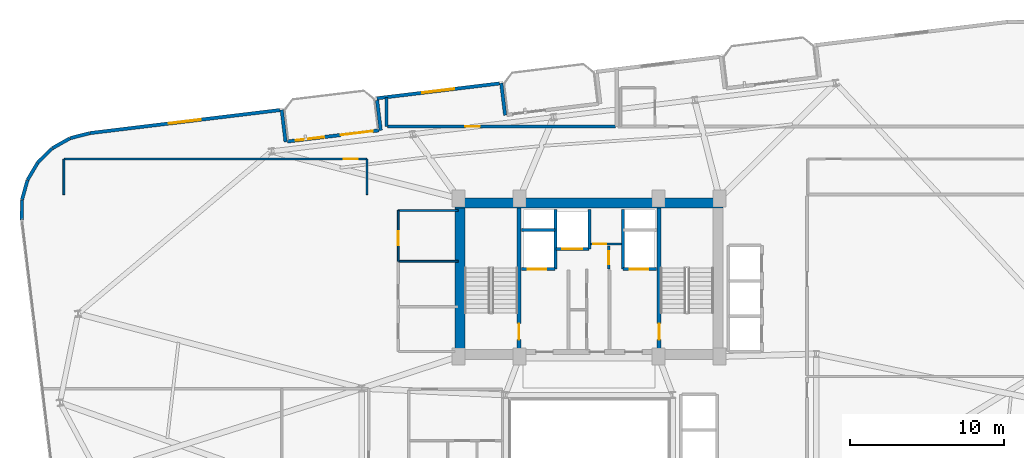
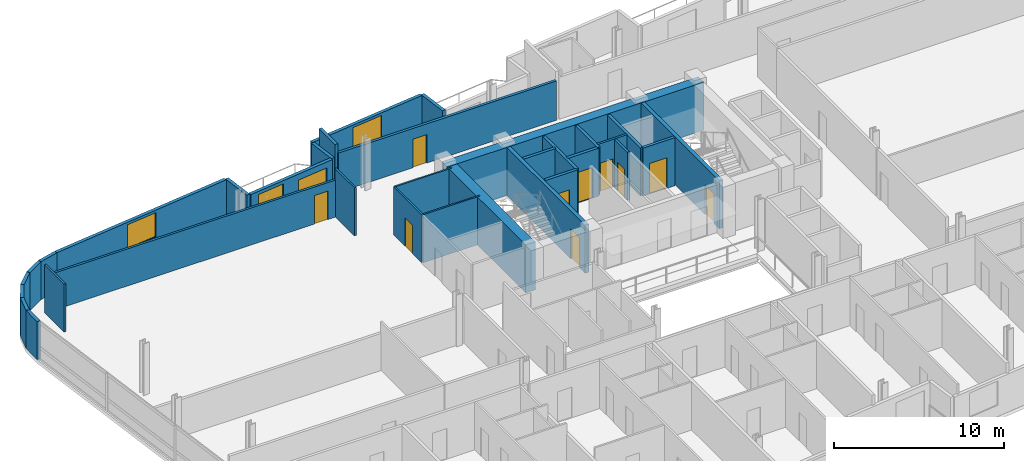
# One storey, part 17 of 23: 33 walls, 11 doors, 3 windows, 14 openings.
"""IFC4 building model written with IfcOpenShell, lengths in metres."""

from ifc_helpers import new_model, si_unit, direction, frame, frame_2d, origin, place, context, subcontext, project, spatial, rectangle, extrude, material, layer, layer_set, type_object, element, fill, save


model = new_model("IFC4")

# Units and contexts
model_context = context("Model", 3, precision=1e-05, world=origin(), true_north=direction((0.0, 1.0)))
body_context = subcontext(model_context, "Body", "Model", "MODEL_VIEW")
ifc_project = project(units=[si_unit("LENGTHUNIT", "METRE"), si_unit("AREAUNIT", "SQUARE_METRE"), si_unit("VOLUMEUNIT", "CUBIC_METRE"), si_unit("PLANEANGLEUNIT", "RADIAN"), si_unit("MASSUNIT", "GRAM", prefix="KILO")], contexts=[model_context])

# Site, building, storey
site_placement = place(None, origin())
site = spatial("IfcSite", under=ifc_project, at=site_placement, CompositionType="ELEMENT")
building_placement = place(site_placement, origin())
building = spatial("IfcBuilding", under=site, at=building_placement, Name="Varnelok Gate Tower", CompositionType="ELEMENT")
storey_placement = place(building_placement, frame((0.0, 0.0, 189.39990234375)))
storey = spatial("IfcBuildingStorey", under=building, at=storey_placement, Name="L48", CompositionType="ELEMENT", Elevation=189.39990234375)

# Wall, openings, door, window
ifc_material_1 = material(Name="Concrete C45/55", Category="concrete")
ifc_layer_1 = layer(ifc_material_1, 0.219970703125)
ifc_layer_set_1 = layer_set([ifc_layer_1], Name="Concrete C45/55")
wall_type_1 = type_object("IfcWallType", Name="EW-BALC-220", PredefinedType="SOLIDWALL", material=ifc_layer_set_1)
wall_1_placement = place(storey_placement, frame((19.556884765625, 42.7529296875, 0.0), z_axis=(0.0, 0.0, 1.0), x_axis=(0.992729951822, 0.120362962556, 0.0)))
wall_1 = element("IfcWall", 1, at=wall_1_placement, inside=storey, type_object=wall_type_1, Name="L48 North Terrace Envelope Wall 4", PredefinedType="SOLIDWALL", context=body_context, shape_type="SweptSolid", body=[
    extrude(rectangle(XDim=6.0, YDim=0.219970703125, at=frame_2d((3.0, 0.0))), origin(), (0.0, 0.0, 1.0), 2.72998046875),
])
opening_1_placement = place(wall_1_placement, frame((3.5, 0.0, 0.0)))
opening_1 = element("IfcOpeningElement", 2, at=opening_1_placement, cuts=wall_1, Name="Opening BD-2", PredefinedType="OPENING", context=body_context, shape_type="SweptSolid", body=[
    extrude(rectangle(XDim=2.10009765625, YDim=2.300048828125, at=frame_2d((1.050048828125, 1.14990234375))), frame((0.0, 0.119873046875, 0.0), z_axis=(0.0, -1.0, 0.0), x_axis=(1.0, 0.0, 0.0)), (0.0, 0.0, 1.0), 0.239990234375),
])
opening_2_placement = place(wall_1_placement, frame((0.550048828125, 0.0, 0.75)))
opening_2 = element("IfcOpeningElement", 3, at=opening_2_placement, cuts=wall_1, Name="Opening WN5", PredefinedType="OPENING", context=body_context, shape_type="SweptSolid", body=[
    extrude(rectangle(XDim=1.85009765625, YDim=1.75, at=frame_2d((0.925048828125, 0.875))), frame((0.0, 0.119873046875, 0.0), z_axis=(0.0, -1.0, 0.0), x_axis=(1.0, 0.0, 0.0)), (0.0, 0.0, 1.0), 0.239990234375),
])
ifc_material_2 = material(Name="Anodized Aluminum Alloy 6063-T6", Category="aluminium")
door_type_1 = type_object("IfcDoorType", Name="DR-EXT-SLID2100", OperationType="SLIDING_TO_LEFT", PredefinedType="DOOR", material=ifc_material_2)
door_1_placement = place(opening_1_placement, origin())
door_1 = element("IfcDoor", 4, at=door_1_placement, inside=storey, type_object=door_type_1, Name="L48 North Balcony Glazed Door 4", OperationType="SLIDING_TO_LEFT", OverallHeight=2.300048828125, OverallWidth=2.10009765625, PredefinedType="DOOR", context=body_context, shape_type="SweptSolid", body=[
    extrude(rectangle(XDim=2.10009765625, YDim=2.300048828125, at=frame_2d((1.050048828125, 1.14990234375))), frame((0.0, 0.02490234375, 0.0), z_axis=(0.0, -1.0, 0.0), x_axis=(1.0, 0.0, 0.0)), (0.0, 0.0, 1.0), 0.050048828125),
])
fill(opening_1, door_1)
ifc_material_3 = material(Name="Low-E Laminated Double Glazing IGU", Category="glass")
window_type_1 = type_object("IfcWindowType", Name="WN-RES-1850", PartitioningType="SINGLE_PANEL", PredefinedType="WINDOW", material=ifc_material_3)
window_1_placement = place(opening_2_placement, origin())
window_1 = element("IfcWindow", 5, at=window_1_placement, inside=storey, type_object=window_type_1, Name="L48 North Vision Window 4.1", OverallHeight=1.75, OverallWidth=1.85009765625, PartitioningType="SINGLE_PANEL", PredefinedType="WINDOW", context=body_context, shape_type="SweptSolid", body=[
    extrude(rectangle(XDim=1.85009765625, YDim=1.75, at=frame_2d((0.925048828125, 0.875))), frame((0.0, 0.030029296875, 0.0), z_axis=(0.0, -1.0, 0.0), x_axis=(1.0, 0.0, 0.0)), (0.0, 0.0, 1.0), 0.06005859375),
])
fill(opening_2, window_1)

# Wall
wall_2_placement = place(storey_placement, frame((33.734375, 44.46142578125, 0.0), z_axis=(0.0, 0.0, 1.0), x_axis=(-0.120327895535, 0.992734202874, 0.0)))
element("IfcWall", 6, at=wall_2_placement, inside=storey, type_object=wall_type_1, Name="L48 Perimeter Facade Closure Wall 34", PredefinedType="SOLIDWALL", context=body_context, shape_type="SweptSolid", body=[
    extrude(rectangle(XDim=2.099853515625, YDim=0.219970703125, at=frame_2d((1.0498046875, 0.0))), origin(), (0.0, 0.0, 1.0), 2.72998046875),
])

# Wall, opening, window
wall_3_placement = place(storey_placement, frame((33.357421875, 46.53125, 0.0), z_axis=(0.0, 0.0, 1.0), x_axis=(-0.992731032022, -0.120354052946, 0.0)))
wall_3 = element("IfcWall", 7, at=wall_3_placement, inside=storey, type_object=wall_type_1, Name="L48 Perimeter Facade Closure Wall 35", PredefinedType="SOLIDWALL", context=body_context, shape_type="SweptSolid", body=[
    extrude(rectangle(XDim=8.034912109375, YDim=0.219970703125, at=frame_2d((4.017578125, 0.0))), origin(), (0.0, 0.0, 1.0), 2.72998046875),
])
opening_3_placement = place(wall_3_placement, frame((2.967529296875, 0.0, 0.800048828125)))
opening_3 = element("IfcOpeningElement", 8, at=opening_3_placement, cuts=wall_3, Name="Opening WN4", PredefinedType="OPENING", context=body_context, shape_type="SweptSolid", body=[
    extrude(rectangle(XDim=2.10009765625, YDim=1.75, at=frame_2d((1.050048828125, 0.875))), frame((0.0, 0.119873046875, 0.0), z_axis=(0.0, -1.0, 0.0), x_axis=(1.0, 0.0, 0.0)), (0.0, 0.0, 1.0), 0.239990234375),
])
window_type_2 = type_object("IfcWindowType", Name="WN-SUI-2100", PartitioningType="SINGLE_PANEL", PredefinedType="WINDOW", material=ifc_material_3)
window_2_placement = place(opening_3_placement, origin())
window_2 = element("IfcWindow", 9, at=window_2_placement, inside=storey, type_object=window_type_2, Name="L48 Perimeter Vision Window 35", OverallHeight=1.75, OverallWidth=2.10009765625, PartitioningType="SINGLE_PANEL", PredefinedType="WINDOW", context=body_context, shape_type="SweptSolid", body=[
    extrude(rectangle(XDim=2.10009765625, YDim=1.75, at=frame_2d((1.050048828125, 0.875))), frame((0.0, 0.030029296875, 0.0), z_axis=(0.0, -1.0, 0.0), x_axis=(1.0, 0.0, 0.0)), (0.0, 0.0, 1.0), 0.06005859375),
])
fill(opening_3, window_2)

# Walls
wall_4_placement = place(storey_placement, frame((25.39599609375, 45.440185546875, 0.0), z_axis=(0.0, 0.0, 1.0), x_axis=(0.120275992932, -0.992740492538, 0.0)))
element("IfcWall", 10, at=wall_4_placement, inside=storey, type_object=wall_type_1, Name="L48 Perimeter Facade Closure Wall 36", PredefinedType="SOLIDWALL", context=body_context, shape_type="SweptSolid", body=[
    extrude(rectangle(XDim=1.97509765625, YDim=0.219970703125, at=frame_2d((0.987548828125, 0.0))), origin(), (0.0, 0.0, 1.0), 2.72998046875),
])
wall_5_placement = place(storey_placement, frame((19.43896484375, 42.728515625, 0.0), z_axis=(0.0, 0.0, 1.0), x_axis=(-0.120327895535, 0.992734202874, 0.0)))
element("IfcWall", 11, at=wall_5_placement, inside=storey, type_object=wall_type_1, Name="L48 Perimeter Facade Closure Wall 37", PredefinedType="SOLIDWALL", context=body_context, shape_type="SweptSolid", body=[
    extrude(rectangle(XDim=2.099853515625, YDim=0.219970703125, at=frame_2d((1.0498046875, 0.0))), origin(), (0.0, 0.0, 1.0), 2.72998046875),
])

# Wall, opening, window
wall_6_placement = place(storey_placement, frame((19.06201171875, 44.798095703125, 0.0), z_axis=(0.0, 0.0, 1.0), x_axis=(-0.992733569027, -0.120333124809, 0.0)))
wall_6 = element("IfcWall", 12, at=wall_6_placement, inside=storey, type_object=wall_type_1, Name="L48 Perimeter Facade Closure Wall 38", PredefinedType="SOLIDWALL", context=body_context, shape_type="SweptSolid", body=[
    extrude(rectangle(XDim=12.447021484375, YDim=0.219970703125, at=frame_2d((6.2236328125, 0.0))), origin(), (0.0, 0.0, 1.0), 2.72998046875),
])
opening_4_placement = place(wall_6_placement, frame((5.173583984375, 0.0, 0.800048828125)))
opening_4 = element("IfcOpeningElement", 13, at=opening_4_placement, cuts=wall_6, Name="Opening WN4", PredefinedType="OPENING", context=body_context, shape_type="SweptSolid", body=[
    extrude(rectangle(XDim=2.10009765625, YDim=1.75, at=frame_2d((1.050048828125, 0.875))), frame((0.0, 0.119873046875, 0.0), z_axis=(0.0, -1.0, 0.0), x_axis=(1.0, 0.0, 0.0)), (0.0, 0.0, 1.0), 0.239990234375),
])
window_3_placement = place(opening_4_placement, origin())
window_3 = element("IfcWindow", 14, at=window_3_placement, inside=storey, type_object=window_type_2, Name="L48 Perimeter Vision Window 38", OverallHeight=1.75, OverallWidth=2.10009765625, PartitioningType="SINGLE_PANEL", PredefinedType="WINDOW", context=body_context, shape_type="SweptSolid", body=[
    extrude(rectangle(XDim=2.10009765625, YDim=1.75, at=frame_2d((1.050048828125, 0.875))), frame((0.0, 0.030029296875, 0.0), z_axis=(0.0, -1.0, 0.0), x_axis=(1.0, 0.0, 0.0)), (0.0, 0.0, 1.0), 0.06005859375),
])
fill(opening_4, window_3)

# Walls
wall_7_placement = place(storey_placement, frame((6.68115234375, 43.294189453125, 0.0), z_axis=(0.0, 0.0, 1.0), x_axis=(-0.968496788899, -0.2490260426, 0.0)))
element("IfcWall", 15, at=wall_7_placement, inside=storey, type_object=wall_type_1, Name="L48 Perimeter Facade Closure Wall 39", PredefinedType="SOLIDWALL", context=body_context, shape_type="SweptSolid", body=[
    extrude(rectangle(XDim=1.308837890625, YDim=0.219970703125, at=frame_2d((0.654296875, 0.0))), origin(), (0.0, 0.0, 1.0), 2.72998046875),
])
for number, where, z_axis, x_axis, name in (
    (16, (5.391845703125, 42.9560546875, 0.0), (0.0, 0.0, 1.0), (-0.87105877335, -0.491178799797, 0.0), "L48 Perimeter Facade Closure Wall 40"),
    (17, (4.24072265625, 42.299560546875, 0.0), (0.0, 0.0, 1.0), (-0.714389219205, -0.699748557329, 0.0), "L48 Perimeter Facade Closure Wall 41"),
):
    element("IfcWall", number, at=place(storey_placement, frame(where, z_axis=z_axis, x_axis=x_axis)), inside=storey, type_object=wall_type_1, Name=name, PredefinedType="SOLIDWALL", context=body_context, shape_type="SweptSolid", body=[
        extrude(rectangle(XDim=1.30078125, YDim=0.219970703125, at=frame_2d((0.650390625, 0.0))), origin(), (0.0, 0.0, 1.0), 2.72998046875),
    ])
wall_8_placement = place(storey_placement, frame((3.298583984375, 41.367919921875, 0.0), z_axis=(0.0, 0.0, 1.0), x_axis=(-0.508716668029, -0.860933999601, 0.0)))
element("IfcWall", 18, at=wall_8_placement, inside=storey, type_object=wall_type_1, Name="L48 Perimeter Facade Closure Wall 42", PredefinedType="SOLIDWALL", context=body_context, shape_type="SweptSolid", body=[
    extrude(rectangle(XDim=1.301025390625, YDim=0.219970703125, at=frame_2d((0.650390625, 0.0))), origin(), (0.0, 0.0, 1.0), 2.72998046875),
])
for number, where, z_axis, x_axis, name in (
    (19, (2.630126953125, 40.223876953125, 0.0), (0.0, 0.0, 1.0), (-0.26876657226, -0.963205341366, 0.0), "L48 Perimeter Facade Closure Wall 43"),
    (20, (2.2802734375, 38.94580078125, 0.0), (0.0, 0.0, 1.0), (-0.01013461463, -0.999948643474, 0.0), "L48 Perimeter Facade Closure Wall 44"),
):
    element("IfcWall", number, at=place(storey_placement, frame(where, z_axis=z_axis, x_axis=x_axis)), inside=storey, type_object=wall_type_1, Name=name, PredefinedType="SOLIDWALL", context=body_context, shape_type="SweptSolid", body=[
        extrude(rectangle(XDim=1.30078125, YDim=0.219970703125, at=frame_2d((0.650390625, 0.0))), origin(), (0.0, 0.0, 1.0), 2.72998046875),
    ])

# Wall, opening, door
ifc_material_4 = material(Name="Gypsum Plasterboard Acoustic Partition", Category="gypsum")
ifc_layer_2 = layer(ifc_material_4, 0.179931640625)
ifc_layer_set_2 = layer_set([ifc_layer_2], Name="Gypsum Plasterboard Acoustic Partition")
wall_type_2 = type_object("IfcWallType", Name="PW-CORR-180", PredefinedType="PARTITIONING", material=ifc_layer_set_2)
wall_9_placement = place(storey_placement, frame((26.080078125, 43.72998046875, 0.0), z_axis=(0.0, 0.0, 1.0), x_axis=(1.0, 0.0, 0.0)))
wall_9 = element("IfcWall", 21, at=wall_9_placement, inside=storey, type_object=wall_type_2, Name="Interior Partition", PredefinedType="PARTITIONING", context=body_context, shape_type="SweptSolid", body=[
    extrude(rectangle(XDim=14.83984375, YDim=0.179931640625, at=frame_2d((7.419921875, 0.0))), origin(), (0.0, 0.0, 1.0), 2.82421875),
])
opening_5_placement = place(wall_9_placement, frame((5.06201171875, 0.0, 0.0)))
opening_5 = element("IfcOpeningElement", 22, at=opening_5_placement, cuts=wall_9, Name="Opening D-I2", PredefinedType="OPENING", context=body_context, shape_type="SweptSolid", body=[
    extrude(rectangle(XDim=0.949951171875, YDim=2.050048828125, at=frame_2d((0.47509765625, 1.02490234375))), frame((0.0, 0.099853515625, 0.0), z_axis=(0.0, -1.0, 0.0), x_axis=(1.0, 0.0, 0.0)), (0.0, 0.0, 1.0), 0.199951171875),
])
ifc_material_5 = material(Name="Engineered Hardwood Timber", Category="wood")
door_type_2 = type_object("IfcDoorType", Name="DR-INT-950", OperationType="NOTDEFINED", PredefinedType="DOOR", material=ifc_material_5)
door_2_placement = place(opening_5_placement, origin())
door_2 = element("IfcDoor", 23, at=door_2_placement, inside=storey, type_object=door_type_2, Name="L48 Children Playroom Door", OperationType="SINGLE_SWING_LEFT", OverallHeight=2.050048828125, OverallWidth=0.949951171875, PredefinedType="DOOR", context=body_context, shape_type="SweptSolid", body=[
    extrude(rectangle(XDim=0.949951171875, YDim=2.050048828125, at=frame_2d((0.47509765625, 1.02490234375))), frame((0.0, 0.02490234375, 0.0), z_axis=(0.0, -1.0, 0.0), x_axis=(1.0, 0.0, 0.0)), (0.0, 0.0, 1.0), 0.050048828125),
])
fill(opening_5, door_2)

# Walls
ifc_layer_3 = layer(ifc_material_4, 0.114990234375)
ifc_layer_set_3 = layer_set([ifc_layer_3], Name="Gypsum Plasterboard Acoustic Partition")
wall_type_3 = type_object("IfcWallType", Name="PW-ENS-125", PredefinedType="PARTITIONING", material=ifc_layer_set_3)
wall_10_placement = place(storey_placement, frame((26.800048828125, 34.949951171875, 0.0), z_axis=(0.0, 0.0, 1.0), x_axis=(1.0, 0.0, 0.0)))
element("IfcWall", 24, at=wall_10_placement, inside=storey, type_object=wall_type_3, Name="Interior Partition", PredefinedType="PARTITIONING", context=body_context, shape_type="SweptSolid", body=[
    extrude(rectangle(XDim=3.8798828125, YDim=0.114990234375, at=frame_2d((1.93994140625, 0.0))), origin(), (0.0, 0.0, 1.0), 3.4501953125),
])
wall_11_placement = place(storey_placement, frame((26.780029296875, 38.260009765625, 0.0), z_axis=(0.0, 0.0, 1.0), x_axis=(1.0, 0.0, 0.0)))
element("IfcWall", 25, at=wall_11_placement, inside=storey, type_object=wall_type_3, Name="Interior Partition", PredefinedType="PARTITIONING", context=body_context, shape_type="SweptSolid", body=[
    extrude(rectangle(XDim=3.89990234375, YDim=0.114990234375, at=frame_2d((1.949951171875, 0.0))), origin(), (0.0, 0.0, 1.0), 3.4501953125),
])

# Wall, opening, door
wall_12_placement = place(storey_placement, frame((26.780029296875, 34.949951171875, 0.0), z_axis=(0.0, 0.0, 1.0), x_axis=(0.0, 1.0, 0.0)))
wall_12 = element("IfcWall", 26, at=wall_12_placement, inside=storey, type_object=wall_type_3, Name="Interior Partition", PredefinedType="PARTITIONING", context=body_context, shape_type="SweptSolid", body=[
    extrude(rectangle(XDim=3.31005859375, YDim=0.114990234375, at=frame_2d((1.655029296875, 0.0))), origin(), (0.0, 0.0, 1.0), 3.4501953125),
])
opening_6_placement = place(wall_12_placement, frame((1.050048828125, 0.0, 0.0)))
opening_6 = element("IfcOpeningElement", 27, at=opening_6_placement, cuts=wall_12, Name="Opening D-WC", PredefinedType="OPENING", context=body_context, shape_type="SweptSolid", body=[
    extrude(rectangle(XDim=0.89990234375, YDim=2.050048828125, at=frame_2d((0.449951171875, 1.02490234375))), frame((0.0, 0.0673828125, 0.0), z_axis=(0.0, -1.0, 0.0), x_axis=(1.0, 0.0, 0.0)), (0.0, 0.0, 1.0), 0.135009765625),
])
door_type_3 = type_object("IfcDoorType", Name="DR-BATH-900", OperationType="NOTDEFINED", PredefinedType="DOOR", material=ifc_material_5)
door_3_placement = place(opening_6_placement, origin())
door_3 = element("IfcDoor", 28, at=door_3_placement, inside=storey, type_object=door_type_3, Name="L48 Core Staff WC Door", OperationType="SINGLE_SWING_LEFT", OverallHeight=2.050048828125, OverallWidth=0.89990234375, PredefinedType="DOOR", context=body_context, shape_type="SweptSolid", body=[
    extrude(rectangle(XDim=0.89990234375, YDim=2.050048828125, at=frame_2d((0.449951171875, 1.02490234375))), frame((0.0, 0.02490234375, 0.0), z_axis=(0.0, -1.0, 0.0), x_axis=(1.0, 0.0, 0.0)), (0.0, 0.0, 1.0), 0.050048828125),
])
fill(opening_6, door_3)

# Walls
ifc_layer_4 = layer(ifc_material_4, 0.125)
ifc_layer_set_4 = layer_set([ifc_layer_4], Name="Gypsum Plasterboard Acoustic Partition")
wall_type_4 = type_object("IfcWallType", Name="PW-PART-125", PredefinedType="PARTITIONING", material=ifc_layer_set_4)
for number, where, z_axis, x_axis, name in (
    (29, (5.0, 39.300048828125, 0.0), (0.0, 0.0, 1.0), (0.0, 1.0, 0.0), "Interior Partition"),
    (30, (24.739990234375, 39.300048828125, 0.0), (0.0, 0.0, 1.0), (0.0, 1.0, 0.0), "Interior Partition"),
):
    element("IfcWall", number, at=place(storey_placement, frame(where, z_axis=z_axis, x_axis=x_axis)), inside=storey, type_object=wall_type_4, Name=name, PredefinedType="PARTITIONING", context=body_context, shape_type="SweptSolid", body=[
        extrude(rectangle(XDim=2.31005859375, YDim=0.125, at=frame_2d((1.155029296875, 0.0))), origin(), (0.0, 0.0, 1.0), 3.4501953125),
    ])

# Wall, opening, door
ifc_layer_5 = layer(ifc_material_4, 0.14990234375)
ifc_layer_set_5 = layer_set([ifc_layer_5], Name="Gypsum Plasterboard Acoustic Partition")
wall_type_5 = type_object("IfcWallType", Name="PW-PART-150", PredefinedType="PARTITIONING", material=ifc_layer_set_5)
wall_13_placement = place(storey_placement, frame((5.0, 41.610107421875, 0.0), z_axis=(0.0, 0.0, 1.0), x_axis=(1.0, 0.0, 0.0)))
wall_13 = element("IfcWall", 31, at=wall_13_placement, inside=storey, type_object=wall_type_5, Name="Interior Partition", PredefinedType="PARTITIONING", context=body_context, shape_type="SweptSolid", body=[
    extrude(rectangle(XDim=19.739990234375, YDim=0.14990234375, at=frame_2d((9.8701171875, 0.0))), origin(), (0.0, 0.0, 1.0), 2.662109375),
])
opening_7_placement = place(wall_13_placement, frame((18.233642578125, 0.0, 0.0)))
opening_7 = element("IfcOpeningElement", 32, at=opening_7_placement, cuts=wall_13, Name="Opening D-I3", PredefinedType="OPENING", context=body_context, shape_type="SweptSolid", body=[
    extrude(rectangle(XDim=0.919921875, YDim=2.050048828125, at=frame_2d((0.4599609375, 1.02490234375))), frame((0.0, 0.0849609375, 0.0), z_axis=(0.0, -1.0, 0.0), x_axis=(1.0, 0.0, 0.0)), (0.0, 0.0, 1.0), 0.169921875),
])
door_type_4 = type_object("IfcDoorType", Name="DR-INT-920", OperationType="NOTDEFINED", PredefinedType="DOOR", material=ifc_material_5)
door_4_placement = place(opening_7_placement, origin())
door_4 = element("IfcDoor", 33, at=door_4_placement, inside=storey, type_object=door_type_4, Name="L48 North Study 1 Door", OperationType="SINGLE_SWING_RIGHT", OverallHeight=2.050048828125, OverallWidth=0.919921875, PredefinedType="DOOR", context=body_context, shape_type="SweptSolid", body=[
    extrude(rectangle(XDim=0.919921875, YDim=2.050048828125, at=frame_2d((0.4599609375, 1.02490234375))), frame((0.0, 0.02490234375, 0.0), z_axis=(0.0, -1.0, 0.0), x_axis=(1.0, 0.0, 0.0)), (0.0, 0.0, 1.0), 0.050048828125),
])
fill(opening_7, door_4)

wall_14_placement = place(storey_placement, frame((39.300048828125, 36.080078125, 0.0), z_axis=(0.0, 0.0, 1.0), x_axis=(1.0, 0.0, 0.0)))
wall_14 = element("IfcWall", 34, at=wall_14_placement, inside=storey, type_object=wall_type_5, Name="L48 Electrical Closet South Wall", PredefinedType="PARTITIONING", context=body_context, shape_type="SweptSolid", body=[
    extrude(rectangle(XDim=2.02001953125, YDim=0.14990234375, at=frame_2d((1.010009765625, 0.0))), origin(), (0.0, 0.0, 1.0), 3.4501953125),
])
opening_8_placement = place(wall_14_placement, frame((0.179931640625, 0.0, 0.0)))
opening_8 = element("IfcOpeningElement", 35, at=opening_8_placement, cuts=wall_14, Name="Opening D-RS", PredefinedType="OPENING", context=body_context, shape_type="SweptSolid", body=[
    extrude(rectangle(XDim=0.85009765625, YDim=2.050048828125, at=frame_2d((0.425048828125, 1.02490234375))), frame((0.0, 0.0849609375, 0.0), z_axis=(0.0, -1.0, 0.0), x_axis=(1.0, 0.0, 0.0)), (0.0, 0.0, 1.0), 0.169921875),
])
ifc_material_6 = material(Name="Galvanized Steel Grade S350GD", Category="steel")
door_type_5 = type_object("IfcDoorType", Name="DR-RISER-850", OperationType="NOTDEFINED", PredefinedType="DOOR", material=ifc_material_6)
door_5_placement = place(opening_8_placement, origin())
door_5 = element("IfcDoor", 36, at=door_5_placement, inside=storey, type_object=door_type_5, Name="L48 Electrical Closet Door", OperationType="SINGLE_SWING_RIGHT", OverallHeight=2.050048828125, OverallWidth=0.85009765625, PredefinedType="DOOR", context=body_context, shape_type="SweptSolid", body=[
    extrude(rectangle(XDim=0.85009765625, YDim=2.050048828125, at=frame_2d((0.425048828125, 1.02490234375))), frame((0.0, 0.02490234375, 0.0), z_axis=(0.0, -1.0, 0.0), x_axis=(1.0, 0.0, 0.0)), (0.0, 0.0, 1.0), 0.050048828125),
])
fill(opening_8, door_5)

wall_15_placement = place(storey_placement, frame((40.47998046875, 34.43994140625, 0.0), z_axis=(0.0, 0.0, 1.0), x_axis=(0.0, 1.0, 0.0)))
wall_15 = element("IfcWall", 37, at=wall_15_placement, inside=storey, type_object=wall_type_5, Name="L48 Telecoms Closet West Wall", PredefinedType="PARTITIONING", context=body_context, shape_type="SweptSolid", body=[
    extrude(rectangle(XDim=1.52001953125, YDim=0.14990234375, at=frame_2d((0.760009765625, 0.0))), origin(), (0.0, 0.0, 1.0), 3.4501953125),
])
opening_9_placement = place(wall_15_placement, frame((0.320068359375, 0.0, 0.0)))
opening_9 = element("IfcOpeningElement", 38, at=opening_9_placement, cuts=wall_15, Name="Opening D-RS", PredefinedType="OPENING", context=body_context, shape_type="SweptSolid", body=[
    extrude(rectangle(XDim=0.85009765625, YDim=2.050048828125, at=frame_2d((0.425048828125, 1.02490234375))), frame((0.0, 0.0849609375, 0.0), z_axis=(0.0, -1.0, 0.0), x_axis=(1.0, 0.0, 0.0)), (0.0, 0.0, 1.0), 0.169921875),
])
door_6_placement = place(opening_9_placement, origin())
door_6 = element("IfcDoor", 39, at=door_6_placement, inside=storey, type_object=door_type_5, Name="L48 Telecoms Closet Door", OperationType="SINGLE_SWING_LEFT", OverallHeight=2.050048828125, OverallWidth=0.85009765625, PredefinedType="DOOR", context=body_context, shape_type="SweptSolid", body=[
    extrude(rectangle(XDim=0.85009765625, YDim=2.050048828125, at=frame_2d((0.425048828125, 1.02490234375))), frame((0.0, 0.02490234375, 0.0), z_axis=(0.0, -1.0, 0.0), x_axis=(1.0, 0.0, 0.0)), (0.0, 0.0, 1.0), 0.050048828125),
])
fill(opening_9, door_6)

# Wall
ifc_layer_6 = layer(ifc_material_4, 0.205078125)
ifc_layer_set_6 = layer_set([ifc_layer_6], Name="Gypsum Plasterboard Acoustic Partition")
wall_type_6 = type_object("IfcWallType", Name="PW-PARTY-200", PredefinedType="PARTITIONING", material=ifc_layer_set_6)
wall_16_placement = place(storey_placement, frame((26.0, 43.72998046875, 0.0), z_axis=(0.0, 0.0, 1.0), x_axis=(0.0, 1.0, 0.0)))
element("IfcWall", 40, at=wall_16_placement, inside=storey, type_object=wall_type_6, Name="L48 North Party Wall 1", PredefinedType="PARTITIONING", context=body_context, shape_type="SweptSolid", body=[
    extrude(rectangle(XDim=1.88916015625, YDim=0.205078125, at=frame_2d((0.944580078125, 0.0))), origin(), (0.0, 0.0, 1.0), 3.4501953125),
])

# Wall, opening, door
ifc_material_7 = material(Name="Concrete C35/45", Category="concrete")
ifc_layer_7 = layer(ifc_material_7, 0.199951171875)
ifc_layer_set_7 = layer_set([ifc_layer_7], Name="Concrete C35/45")
wall_type_7 = type_object("IfcWallType", Name="PW-SHAFT-200", PredefinedType="PARTITIONING", material=ifc_layer_set_7)
wall_17_placement = place(storey_placement, frame((34.800048828125, 34.43994140625, 0.0), z_axis=(0.0, 0.0, 1.0), x_axis=(1.0, 0.0, 0.0)))
wall_17 = element("IfcWall", 41, at=wall_17_placement, inside=storey, type_object=wall_type_7, Name="L48 FF1 Shaft Front Wall", PredefinedType="PARTITIONING", context=body_context, shape_type="SweptSolid", body=[
    extrude(rectangle(XDim=2.179931640625, YDim=0.199951171875, at=frame_2d((1.08984375, 0.0))), origin(), (0.0, 0.0, 1.0), 3.4501953125),
])
opening_10_placement = place(wall_17_placement, frame((0.419921875, 0.0, 0.0)))
opening_10 = element("IfcOpeningElement", 42, at=opening_10_placement, cuts=wall_17, Name="Opening LD-FF1", PredefinedType="OPENING", context=body_context, shape_type="SweptSolid", body=[
    extrude(rectangle(XDim=1.199951171875, YDim=2.199951171875, at=frame_2d((0.60009765625, 1.10009765625))), frame((0.0, 0.10986328125, 0.0), z_axis=(0.0, -1.0, 0.0), x_axis=(1.0, 0.0, 0.0)), (0.0, 0.0, 1.0), 0.219970703125),
])
door_type_6 = type_object("IfcDoorType", Name="DR-LIFT-FF1200", OperationType="SLIDING_TO_LEFT", PredefinedType="DOOR", material=ifc_material_6)
door_7_placement = place(opening_10_placement, origin())
door_7 = element("IfcDoor", 43, at=door_7_placement, inside=storey, type_object=door_type_6, Name="L48 Firefighting Lift Landing Door LD-FF1", OperationType="SLIDING_TO_LEFT", OverallHeight=2.199951171875, OverallWidth=1.199951171875, PredefinedType="DOOR", context=body_context, shape_type="SweptSolid", body=[
    extrude(rectangle(XDim=1.199951171875, YDim=2.199951171875, at=frame_2d((0.60009765625, 1.10009765625))), frame((0.0, 0.02490234375, 0.0), z_axis=(0.0, -1.0, 0.0), x_axis=(1.0, 0.0, 0.0)), (0.0, 0.0, 1.0), 0.050048828125),
])
fill(opening_10, door_7)

# Walls
wall_18_placement = place(storey_placement, frame((34.800048828125, 36.97998046875, 0.0), z_axis=(0.0, 0.0, 1.0), x_axis=(1.0, 0.0, 0.0)))
element("IfcWall", 44, at=wall_18_placement, inside=storey, type_object=wall_type_7, Name="L48 FF1 Shaft North Wall", PredefinedType="PARTITIONING", context=body_context, shape_type="SweptSolid", body=[
    extrude(rectangle(XDim=2.179931640625, YDim=0.199951171875, at=frame_2d((1.08984375, 0.0))), origin(), (0.0, 0.0, 1.0), 3.4501953125),
])
wall_19_placement = place(storey_placement, frame((37.0, 34.43994140625, 0.0), z_axis=(0.0, 0.0, 1.0), x_axis=(0.0, 1.0, 0.0)))
element("IfcWall", 45, at=wall_19_placement, inside=storey, type_object=wall_type_7, Name="L48 FF1 Shaft Side Wall", PredefinedType="PARTITIONING", context=body_context, shape_type="SweptSolid", body=[
    extrude(rectangle(XDim=3.900146484375, YDim=0.199951171875, at=frame_2d((1.9501953125, 0.0))), origin(), (0.0, 0.0, 1.0), 3.4501953125),
])

# Wall, opening, door
wall_20_placement = place(storey_placement, frame((41.419921875, 34.43994140625, 0.0), z_axis=(0.0, 0.0, 1.0), x_axis=(1.0, 0.0, 0.0)))
wall_20 = element("IfcWall", 46, at=wall_20_placement, inside=storey, type_object=wall_type_7, Name="L48 FF2 Shaft Front Wall", PredefinedType="PARTITIONING", context=body_context, shape_type="SweptSolid", body=[
    extrude(rectangle(XDim=2.18017578125, YDim=0.199951171875, at=frame_2d((1.090087890625, 0.0))), origin(), (0.0, 0.0, 1.0), 3.4501953125),
])
opening_11_placement = place(wall_20_placement, frame((0.419921875, 0.0, 0.0)))
opening_11 = element("IfcOpeningElement", 47, at=opening_11_placement, cuts=wall_20, Name="Opening LD-FF2", PredefinedType="OPENING", context=body_context, shape_type="SweptSolid", body=[
    extrude(rectangle(XDim=1.199951171875, YDim=2.199951171875, at=frame_2d((0.60009765625, 1.10009765625))), frame((0.0, 0.10986328125, 0.0), z_axis=(0.0, -1.0, 0.0), x_axis=(1.0, 0.0, 0.0)), (0.0, 0.0, 1.0), 0.219970703125),
])
door_8_placement = place(opening_11_placement, origin())
door_8 = element("IfcDoor", 48, at=door_8_placement, inside=storey, type_object=door_type_6, Name="L48 Firefighting Lift Landing Door LD-FF2", OperationType="SLIDING_TO_LEFT", OverallHeight=2.199951171875, OverallWidth=1.199951171875, PredefinedType="DOOR", context=body_context, shape_type="SweptSolid", body=[
    extrude(rectangle(XDim=1.199951171875, YDim=2.199951171875, at=frame_2d((0.60009765625, 1.10009765625))), frame((0.0, 0.02490234375, 0.0), z_axis=(0.0, -1.0, 0.0), x_axis=(1.0, 0.0, 0.0)), (0.0, 0.0, 1.0), 0.050048828125),
])
fill(opening_11, door_8)

# Wall
wall_21_placement = place(storey_placement, frame((41.39990234375, 34.43994140625, 0.0), z_axis=(0.0, 0.0, 1.0), x_axis=(0.0, 1.0, 0.0)))
element("IfcWall", 49, at=wall_21_placement, inside=storey, type_object=wall_type_7, Name="L48 FF2 Shaft Side Wall", PredefinedType="PARTITIONING", context=body_context, shape_type="SweptSolid", body=[
    extrude(rectangle(XDim=3.900146484375, YDim=0.199951171875, at=frame_2d((1.9501953125, 0.0))), origin(), (0.0, 0.0, 1.0), 3.4501953125),
])

# Wall, opening, door
wall_22_placement = place(storey_placement, frame((37.06005859375, 35.75, 0.0), z_axis=(0.0, 0.0, 1.0), x_axis=(1.0, 0.0, 0.0)))
wall_22 = element("IfcWall", 50, at=wall_22_placement, inside=storey, type_object=wall_type_7, Name="L48 SV1 Shaft Front Wall", PredefinedType="PARTITIONING", context=body_context, shape_type="SweptSolid", body=[
    extrude(rectangle(XDim=2.119873046875, YDim=0.199951171875, at=frame_2d((1.06005859375, 0.0))), origin(), (0.0, 0.0, 1.0), 3.4501953125),
])
opening_12_placement = place(wall_22_placement, frame((0.39990234375, 0.0, 0.0)))
opening_12 = element("IfcOpeningElement", 51, at=opening_12_placement, cuts=wall_22, Name="Opening LD-SV1", PredefinedType="OPENING", context=body_context, shape_type="SweptSolid", body=[
    extrude(rectangle(XDim=1.300048828125, YDim=2.199951171875, at=frame_2d((0.64990234375, 1.10009765625))), frame((0.0, 0.10986328125, 0.0), z_axis=(0.0, -1.0, 0.0), x_axis=(1.0, 0.0, 0.0)), (0.0, 0.0, 1.0), 0.219970703125),
])
door_type_7 = type_object("IfcDoorType", Name="DR-LIFT-SV1300", OperationType="SLIDING_TO_LEFT", PredefinedType="DOOR", material=ifc_material_6)
door_9_placement = place(opening_12_placement, origin())
door_9 = element("IfcDoor", 52, at=door_9_placement, inside=storey, type_object=door_type_7, Name="L48 Service Lift Landing Door LD-SV1", OperationType="SLIDING_TO_LEFT", OverallHeight=2.199951171875, OverallWidth=1.300048828125, PredefinedType="DOOR", context=body_context, shape_type="SweptSolid", body=[
    extrude(rectangle(XDim=1.300048828125, YDim=2.199951171875, at=frame_2d((0.64990234375, 1.10009765625))), frame((0.0, 0.02490234375, 0.0), z_axis=(0.0, -1.0, 0.0), x_axis=(1.0, 0.0, 0.0)), (0.0, 0.0, 1.0), 0.050048828125),
])
fill(opening_12, door_9)

# Walls
wall_23_placement = place(storey_placement, frame((39.219970703125, 35.75, 0.0), z_axis=(0.0, 0.0, 1.0), x_axis=(0.0, 1.0, 0.0)))
element("IfcWall", 53, at=wall_23_placement, inside=storey, type_object=wall_type_7, Name="L48 SV1 Shaft East Wall", PredefinedType="PARTITIONING", context=body_context, shape_type="SweptSolid", body=[
    extrude(rectangle(XDim=2.590087890625, YDim=0.199951171875, at=frame_2d((1.294921875, 0.0))), origin(), (0.0, 0.0, 1.0), 3.4501953125),
])
ifc_material_8 = material(Name="Concrete C60/75", Category="concrete")
ifc_layer_8 = layer(ifc_material_8, 0.64990234375)
ifc_layer_set_8 = layer_set([ifc_layer_8], Name="Concrete C60/75")
wall_type_8 = type_object("IfcWallType", Name="SW-CORE-650", PredefinedType="SHEAR", material=ifc_layer_set_8)
wall_24_placement = place(storey_placement, frame((30.47998046875, 38.7451171875, 0.0), z_axis=(0.0, 0.0, 1.0), x_axis=(1.0, 0.0, 0.0)))
element("IfcWall", 54, at=wall_24_placement, inside=storey, type_object=wall_type_8, Name="L48 Rear Core North Shear Wall", PredefinedType="SHEAR", context=body_context, shape_type="SweptSolid", body=[
    extrude(rectangle(XDim=17.43994140625, YDim=0.64990234375, at=frame_2d((8.719970703125, 0.0))), origin(), (0.0, 0.0, 1.0), 3.4501953125),
])
wall_25_placement = place(storey_placement, frame((30.804931640625, 29.199951171875, 0.0), z_axis=(0.0, 0.0, 1.0), x_axis=(0.0, 1.0, 0.0)))
element("IfcWall", 55, at=wall_25_placement, inside=storey, type_object=wall_type_8, Name="L48 Rear Core West Shear Wall", PredefinedType="SHEAR", context=body_context, shape_type="SweptSolid", body=[
    extrude(rectangle(XDim=9.219970703125, YDim=0.64990234375, at=frame_2d((4.60986328125, 0.0))), origin(), (0.0, 0.0, 1.0), 3.4501953125),
])

# Wall, opening, door
ifc_layer_9 = layer(ifc_material_8, 0.25)
ifc_layer_set_9 = layer_set([ifc_layer_9], Name="Concrete C60/75")
wall_type_9 = type_object("IfcWallType", Name="SW-SHAFT-250", PredefinedType="SHEAR", material=ifc_layer_set_9)
wall_26_placement = place(storey_placement, frame((34.639892578125, 29.199951171875, 0.0), z_axis=(0.0, 0.0, 1.0), x_axis=(0.0, 1.0, 0.0)))
wall_26 = element("IfcWall", 56, at=wall_26_placement, inside=storey, type_object=wall_type_9, Name="L48 Stair ST-1 East Shear Wall", PredefinedType="SHEAR", context=body_context, shape_type="SweptSolid", body=[
    extrude(rectangle(XDim=9.219970703125, YDim=0.25, at=frame_2d((4.60986328125, 0.0))), origin(), (0.0, 0.0, 1.0), 3.4501953125),
])
opening_13_placement = place(wall_26_placement, frame((0.64990234375, 0.0, 0.0)))
opening_13 = element("IfcOpeningElement", 57, at=opening_13_placement, cuts=wall_26, Name="Opening D-ST", PredefinedType="OPENING", context=body_context, shape_type="SweptSolid", body=[
    extrude(rectangle(XDim=1.050048828125, YDim=2.14990234375, at=frame_2d((0.52490234375, 1.074951171875))), frame((0.0, 0.135009765625, 0.0), z_axis=(0.0, -1.0, 0.0), x_axis=(1.0, 0.0, 0.0)), (0.0, 0.0, 1.0), 0.27001953125),
])
door_type_8 = type_object("IfcDoorType", Name="DR-STAIR-1050", OperationType="NOTDEFINED", PredefinedType="DOOR", material=ifc_material_6)
door_10_placement = place(opening_13_placement, origin())
door_10 = element("IfcDoor", 58, at=door_10_placement, inside=storey, type_object=door_type_8, Name="L48 Exit Stair ST-1 Fire Door", OperationType="SINGLE_SWING_LEFT", OverallHeight=2.14990234375, OverallWidth=1.050048828125, PredefinedType="DOOR", context=body_context, shape_type="SweptSolid", body=[
    extrude(rectangle(XDim=1.050048828125, YDim=2.14990234375, at=frame_2d((0.52490234375, 1.074951171875))), frame((0.0, 0.02490234375, 0.0), z_axis=(0.0, -1.0, 0.0), x_axis=(1.0, 0.0, 0.0)), (0.0, 0.0, 1.0), 0.050048828125),
])
fill(opening_13, door_10)

wall_27_placement = place(storey_placement, frame((43.760009765625, 29.199951171875, 0.0), z_axis=(0.0, 0.0, 1.0), x_axis=(0.0, 1.0, 0.0)))
wall_27 = element("IfcWall", 59, at=wall_27_placement, inside=storey, type_object=wall_type_9, Name="L48 Stair ST-2 West Shear Wall", PredefinedType="SHEAR", context=body_context, shape_type="SweptSolid", body=[
    extrude(rectangle(XDim=9.219970703125, YDim=0.25, at=frame_2d((4.60986328125, 0.0))), origin(), (0.0, 0.0, 1.0), 3.4501953125),
])
opening_14_placement = place(wall_27_placement, frame((0.64990234375, 0.0, 0.0)))
opening_14 = element("IfcOpeningElement", 60, at=opening_14_placement, cuts=wall_27, Name="Opening D-ST", PredefinedType="OPENING", context=body_context, shape_type="SweptSolid", body=[
    extrude(rectangle(XDim=1.050048828125, YDim=2.14990234375, at=frame_2d((0.52490234375, 1.074951171875))), frame((0.0, 0.135009765625, 0.0), z_axis=(0.0, -1.0, 0.0), x_axis=(1.0, 0.0, 0.0)), (0.0, 0.0, 1.0), 0.27001953125),
])
door_11_placement = place(opening_14_placement, origin())
door_11 = element("IfcDoor", 61, at=door_11_placement, inside=storey, type_object=door_type_8, Name="L48 Exit Stair ST-2 Fire Door", OperationType="SINGLE_SWING_RIGHT", OverallHeight=2.14990234375, OverallWidth=1.050048828125, PredefinedType="DOOR", context=body_context, shape_type="SweptSolid", body=[
    extrude(rectangle(XDim=1.050048828125, YDim=2.14990234375, at=frame_2d((0.52490234375, 1.074951171875))), frame((0.0, 0.02490234375, 0.0), z_axis=(0.0, -1.0, 0.0), x_axis=(1.0, 0.0, 0.0)), (0.0, 0.0, 1.0), 0.050048828125),
])
fill(opening_14, door_11)

save(model, "model.ifc")
